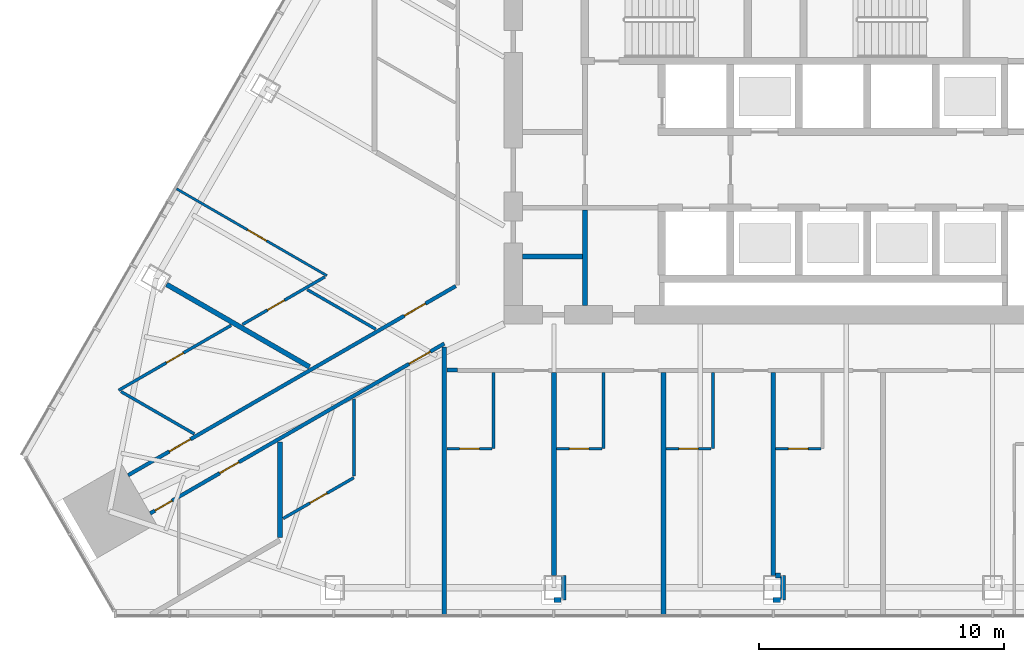
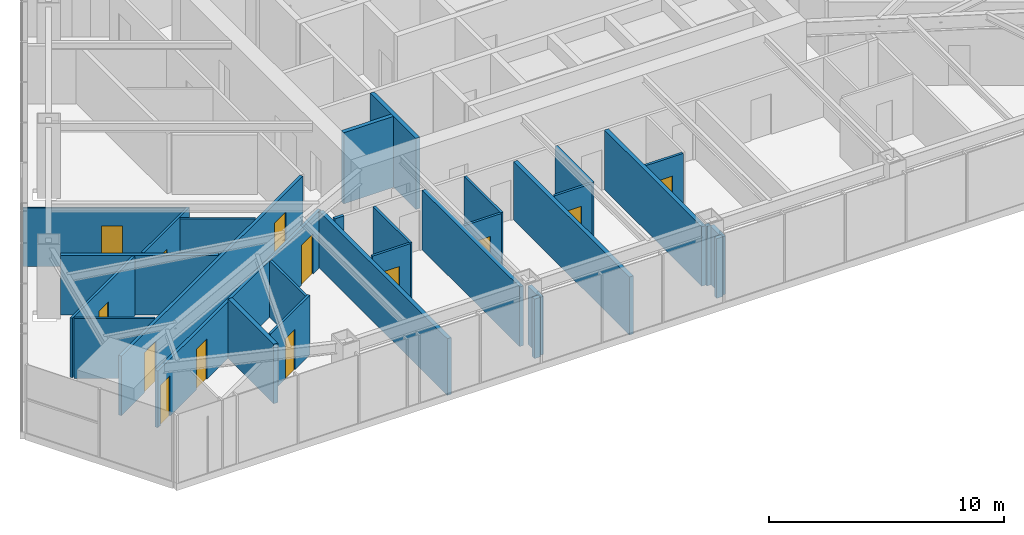
# One storey, part 14 of 21: 30 walls, 13 doors, 13 openings.
"""IFC4 building model written with IfcOpenShell, lengths in metres."""

from ifc_helpers import new_model, si_unit, direction, frame, frame_2d, origin, place, context, subcontext, project, spatial, rectangle, extrude, material, layer, layer_set, type_object, element, fill, save


model = new_model("IFC4")

# Units and contexts
model_context = context("Model", 3, precision=1e-05, world=origin(), true_north=direction((0.0, 1.0)))
body_context = subcontext(model_context, "Body", "Model", "MODEL_VIEW")
ifc_project = project(units=[si_unit("LENGTHUNIT", "METRE"), si_unit("AREAUNIT", "SQUARE_METRE"), si_unit("VOLUMEUNIT", "CUBIC_METRE"), si_unit("PLANEANGLEUNIT", "RADIAN"), si_unit("MASSUNIT", "GRAM", prefix="KILO")], contexts=[model_context])

# Site, building, storey
site_placement = place(None, origin())
site = spatial("IfcSite", under=ifc_project, at=site_placement, CompositionType="ELEMENT")
building_placement = place(site_placement, origin())
building = spatial("IfcBuilding", under=site, at=building_placement, Name="Firuza Gate Tower and Library", CompositionType="ELEMENT")
storey_placement = place(building_placement, frame((0.0, 0.0, 167.5)))
storey = spatial("IfcBuildingStorey", under=building, at=storey_placement, Name="L38", CompositionType="ELEMENT", Elevation=167.5)

# Walls
ifc_material_1 = material(Name="Plasterboard on steel studs", Category="steel")
ifc_layer_1 = layer(ifc_material_1, 0.199951171875)
ifc_layer_set_1 = layer_set([ifc_layer_1], Name="Core partition 200 EI 120")
wall_type_1 = type_object("IfcWallType", Name="Core partition 200 EI 120", PredefinedType="PARTITIONING", material=ifc_layer_set_1)
wall_1_placement = place(storey_placement, frame((67.300048828125, 67.75, 0.0), z_axis=(0.0, 0.0, 1.0), x_axis=(0.0, 1.0, 0.0)))
element("IfcWall", 1, at=wall_1_placement, inside=storey, type_object=wall_type_1, Name="Core partition L38 7", PredefinedType="PARTITIONING", context=body_context, shape_type="SweptSolid", body=[
    extrude(rectangle(XDim=3.89990234375, YDim=0.199951171875, at=frame_2d((1.949951171875, 0.0))), origin(), (0.0, 0.0, 1.0), 3.699951171875),
])
ifc_material_2 = material(Name="Plasterboard on steel studs", Category="steel")
ifc_layer_2 = layer(ifc_material_2, 0.199951171875)
ifc_layer_set_2 = layer_set([ifc_layer_2], Name="Core partition 200 EI 60")
wall_type_2 = type_object("IfcWallType", Name="Core partition 200 EI 60", PredefinedType="PARTITIONING", material=ifc_layer_set_2)
wall_2_placement = place(storey_placement, frame((64.75, 69.75, 0.0), z_axis=(0.0, 0.0, 1.0), x_axis=(1.0, 0.0, 0.0)))
element("IfcWall", 2, at=wall_2_placement, inside=storey, type_object=wall_type_2, Name="Core partition L38 1", PredefinedType="PARTITIONING", context=body_context, shape_type="SweptSolid", body=[
    extrude(rectangle(XDim=2.449951171875, YDim=0.199951171875, at=frame_2d((1.22509765625, 0.0))), origin(), (0.0, 0.0, 1.0), 3.699951171875),
])
ifc_material_3 = material(Name="Gypsum board partition")
ifc_layer_3 = layer(ifc_material_3, 0.14990234375)
ifc_layer_set_3 = layer_set([ifc_layer_3], Name="Corridor wall 150 double board on steel studs")
wall_type_3 = type_object("IfcWallType", Name="Corridor wall 150 double board on steel studs", PredefinedType="PARTITIONING", material=ifc_layer_set_3)
wall_3_placement = place(storey_placement, frame((61.6572265625, 65.118896484375, 0.0), z_axis=(0.0, 0.0, 1.0), x_axis=(1.0, 0.0, 0.0)))
element("IfcWall", 3, at=wall_3_placement, inside=storey, type_object=wall_type_3, Name="f:L38:w009", PredefinedType="PARTITIONING", context=body_context, shape_type="SweptSolid", body=[
    extrude(rectangle(XDim=0.44287109375, YDim=0.14990234375, at=frame_2d((0.221435546875, 0.0))), origin(), (0.0, 0.0, 1.0), 3.10009765625),
])

# Wall, openings, doors
wall_4_placement = place(storey_placement, frame((61.55712890625, 66.19970703125, 0.0), z_axis=(0.0, 0.0, 1.0), x_axis=(-0.866027723534, -0.499995982055, 0.0)))
wall_4 = element("IfcWall", 4, at=wall_4_placement, inside=storey, type_object=wall_type_3, Name="f:L38:w033", PredefinedType="PARTITIONING", context=body_context, shape_type="SweptSolid", body=[
    extrude(rectangle(XDim=13.88134765625, YDim=0.14990234375, at=frame_2d((6.940673828125, 0.0))), origin(), (0.0, 0.0, 1.0), 2.947021484375),
])
opening_1_placement = place(wall_4_placement, frame((0.660888671875, 0.0, 0.0)))
opening_1 = element("IfcOpeningElement", 5, at=opening_1_placement, cuts=wall_4, Name="Opening L38-20", PredefinedType="OPENING", context=body_context, shape_type="SweptSolid", body=[
    extrude(rectangle(XDim=1.0, YDim=2.10009765625, at=frame_2d((0.5, 1.050048828125))), frame((0.0, 0.0849609375, 0.0), z_axis=(0.0, -1.0, 0.0), x_axis=(1.0, 0.0, 0.0)), (0.0, 0.0, 1.0), 0.169921875),
])
opening_2_placement = place(wall_4_placement, frame((9.6962890625, 0.0, 0.0)))
opening_2 = element("IfcOpeningElement", 6, at=opening_2_placement, cuts=wall_4, Name="Opening L38-21", PredefinedType="OPENING", context=body_context, shape_type="SweptSolid", body=[
    extrude(rectangle(XDim=0.89990234375, YDim=2.10009765625, at=frame_2d((0.449951171875, 1.050048828125))), frame((0.0, 0.0849609375, 0.0), z_axis=(0.0, -1.0, 0.0), x_axis=(1.0, 0.0, 0.0)), (0.0, 0.0, 1.0), 0.169921875),
])
opening_3_placement = place(wall_4_placement, frame((12.854736328125, 0.0, 0.0)))
opening_3 = element("IfcOpeningElement", 7, at=opening_3_placement, cuts=wall_4, Name="Opening L38-22", PredefinedType="OPENING", context=body_context, shape_type="SweptSolid", body=[
    extrude(rectangle(XDim=0.800048828125, YDim=2.10009765625, at=frame_2d((0.39990234375, 1.050048828125))), frame((0.0, 0.0849609375, 0.0), z_axis=(0.0, -1.0, 0.0), x_axis=(1.0, 0.0, 0.0)), (0.0, 0.0, 1.0), 0.169921875),
])
ifc_material_4 = material(Name="Timber door", Category="wood")
door_type_1 = type_object("IfcDoorType", Name="Door 800 x 2100 timber leaf", OperationType="NOTDEFINED", PredefinedType="DOOR", material=ifc_material_4)
door_1_placement = place(opening_3_placement, origin())
door_1 = element("IfcDoor", 8, at=door_1_placement, inside=storey, type_object=door_type_1, Name="f:L38:d022", OperationType="SINGLE_SWING_RIGHT", OverallHeight=2.10009765625, OverallWidth=0.800048828125, PredefinedType="DOOR", context=body_context, shape_type="SweptSolid", body=[
    extrude(rectangle(XDim=0.800048828125, YDim=2.10009765625, at=frame_2d((0.39990234375, 1.050048828125))), frame((0.0, 0.02490234375, 0.0), z_axis=(0.0, -1.0, 0.0), x_axis=(1.0, 0.0, 0.0)), (0.0, 0.0, 1.0), 0.050048828125),
])
fill(opening_3, door_1)
ifc_material_5 = material(Name="Steel door and timber leaf", Category="steel")
door_type_2 = type_object("IfcDoorType", Name="Fire door 1000 x 2100 steel frame, timber leaf", OperationType="NOTDEFINED", PredefinedType="DOOR", material=ifc_material_5)
door_2_placement = place(opening_1_placement, origin())
door_2 = element("IfcDoor", 9, at=door_2_placement, inside=storey, type_object=door_type_2, Name="f:L38:d020", OperationType="SINGLE_SWING_RIGHT", OverallHeight=2.10009765625, OverallWidth=1.0, PredefinedType="DOOR", context=body_context, shape_type="SweptSolid", body=[
    extrude(rectangle(XDim=1.0, YDim=2.10009765625, at=frame_2d((0.5, 1.050048828125))), frame((0.0, 0.02490234375, 0.0), z_axis=(0.0, -1.0, 0.0), x_axis=(1.0, 0.0, 0.0)), (0.0, 0.0, 1.0), 0.050048828125),
])
fill(opening_1, door_2)
ifc_material_6 = material(Name="Steel door and timber leaf", Category="steel")
door_type_3 = type_object("IfcDoorType", Name="Fire door 900 x 2100 steel frame, timber leaf", OperationType="NOTDEFINED", PredefinedType="DOOR", material=ifc_material_6)
door_3_placement = place(opening_2_placement, origin())
door_3 = element("IfcDoor", 10, at=door_3_placement, inside=storey, type_object=door_type_3, Name="f:L38:d021", OperationType="SINGLE_SWING_LEFT", OverallHeight=2.10009765625, OverallWidth=0.89990234375, PredefinedType="DOOR", context=body_context, shape_type="SweptSolid", body=[
    extrude(rectangle(XDim=0.89990234375, YDim=2.10009765625, at=frame_2d((0.449951171875, 1.050048828125))), frame((0.0, 0.02490234375, 0.0), z_axis=(0.0, -1.0, 0.0), x_axis=(1.0, 0.0, 0.0)), (0.0, 0.0, 1.0), 0.050048828125),
])
fill(opening_2, door_3)

wall_5_placement = place(storey_placement, frame((48.635498046875, 60.81787109375, 0.0), z_axis=(0.0, 0.0, 1.0), x_axis=(0.866029648708, 0.499992647504, 0.0)))
wall_5 = element("IfcWall", 11, at=wall_5_placement, inside=storey, type_object=wall_type_3, Name="f:L38:w035", PredefinedType="PARTITIONING", context=body_context, shape_type="SweptSolid", body=[
    extrude(rectangle(XDim=15.460693359375, YDim=0.14990234375, at=frame_2d((7.73046875, 0.0))), origin(), (0.0, 0.0, 1.0), 3.10009765625),
])
opening_4_placement = place(wall_5_placement, frame((1.945068359375, 0.0, 0.0)))
opening_4 = element("IfcOpeningElement", 12, at=opening_4_placement, cuts=wall_5, Name="Opening L38-24", PredefinedType="OPENING", context=body_context, shape_type="SweptSolid", body=[
    extrude(rectangle(XDim=1.0, YDim=2.10009765625, at=frame_2d((0.5, 1.050048828125))), frame((0.0, 0.0849609375, 0.0), z_axis=(0.0, -1.0, 0.0), x_axis=(1.0, 0.0, 0.0)), (0.0, 0.0, 1.0), 0.169921875),
])
opening_5_placement = place(wall_5_placement, frame((13.034423828125, 0.0, 0.0)))
opening_5 = element("IfcOpeningElement", 13, at=opening_5_placement, cuts=wall_5, Name="Opening L38-25", PredefinedType="OPENING", context=body_context, shape_type="SweptSolid", body=[
    extrude(rectangle(XDim=1.0, YDim=2.10009765625, at=frame_2d((0.5, 1.050048828125))), frame((0.0, 0.0849609375, 0.0), z_axis=(0.0, -1.0, 0.0), x_axis=(1.0, 0.0, 0.0)), (0.0, 0.0, 1.0), 0.169921875),
])
door_4_placement = place(opening_4_placement, origin())
door_4 = element("IfcDoor", 14, at=door_4_placement, inside=storey, type_object=door_type_2, Name="f:L38:d024", OperationType="SINGLE_SWING_LEFT", OverallHeight=2.10009765625, OverallWidth=1.0, PredefinedType="DOOR", context=body_context, shape_type="SweptSolid", body=[
    extrude(rectangle(XDim=1.0, YDim=2.10009765625, at=frame_2d((0.5, 1.050048828125))), frame((0.0, 0.02490234375, 0.0), z_axis=(0.0, -1.0, 0.0), x_axis=(1.0, 0.0, 0.0)), (0.0, 0.0, 1.0), 0.050048828125),
])
fill(opening_4, door_4)
door_5_placement = place(opening_5_placement, origin())
door_5 = element("IfcDoor", 15, at=door_5_placement, inside=storey, type_object=door_type_2, Name="f:L38:d025", OperationType="SINGLE_SWING_RIGHT", OverallHeight=2.10009765625, OverallWidth=1.0, PredefinedType="DOOR", context=body_context, shape_type="SweptSolid", body=[
    extrude(rectangle(XDim=1.0, YDim=2.10009765625, at=frame_2d((0.5, 1.050048828125))), frame((0.0, 0.02490234375, 0.0), z_axis=(0.0, -1.0, 0.0), x_axis=(1.0, 0.0, 0.0)), (0.0, 0.0, 1.0), 0.050048828125),
])
fill(opening_5, door_5)

# Walls
ifc_material_7 = material(Name="Gypsum board partition")
ifc_layer_4 = layer(ifc_material_7, 0.199951171875)
ifc_layer_set_4 = layer_set([ifc_layer_4], Name="Demising wall 200 acoustic double stud")
wall_type_4 = type_object("IfcWallType", Name="Demising wall 200 acoustic double stud", PredefinedType="PARTITIONING", material=ifc_layer_set_4)
wall_6_placement = place(storey_placement, frame((66.0380859375, 55.720947265625, 0.0), z_axis=(0.0, 0.0, 1.0), x_axis=(1.0, 0.0, 0.0)))
element("IfcWall", 16, at=wall_6_placement, inside=storey, type_object=wall_type_4, Name="f:L38:w000", PredefinedType="PARTITIONING", context=body_context, shape_type="SweptSolid", body=[
    extrude(rectangle(XDim=0.2900390625, YDim=0.199951171875, at=frame_2d((0.14501953125, 0.0))), origin(), (0.0, 0.0, 1.0), 3.10009765625),
])
wall_7_placement = place(storey_placement, frame((75.0, 55.720947265625, 0.0), z_axis=(0.0, 0.0, 1.0), x_axis=(1.0, 0.0, 0.0)))
element("IfcWall", 17, at=wall_7_placement, inside=storey, type_object=wall_type_4, Name="f:L38:w001", PredefinedType="PARTITIONING", context=body_context, shape_type="SweptSolid", body=[
    extrude(rectangle(XDim=0.300048828125, YDim=0.199951171875, at=frame_2d((0.14990234375, 0.0))), origin(), (0.0, 0.0, 1.0), 3.10009765625),
])
wall_8_placement = place(storey_placement, frame((75.10009765625, 56.720947265625, 0.0), z_axis=(0.0, 0.0, 1.0), x_axis=(1.0, 0.0, 0.0)))
element("IfcWall", 18, at=wall_8_placement, inside=storey, type_object=wall_type_4, Name="f:L38:w002", PredefinedType="PARTITIONING", context=body_context, shape_type="SweptSolid", body=[
    extrude(rectangle(XDim=0.199951171875, YDim=0.199951171875, at=frame_2d((0.10009765625, 0.0))), origin(), (0.0, 0.0, 1.0), 3.10009765625),
])
wall_9_placement = place(storey_placement, frame((75.39990234375, 55.720458984375, 0.0), z_axis=(0.0, 0.0, 1.0), x_axis=(0.0, 1.0, 0.0)))
element("IfcWall", 19, at=wall_9_placement, inside=storey, type_object=wall_type_4, Name="f:L38:w065", PredefinedType="PARTITIONING", context=body_context, shape_type="SweptSolid", body=[
    extrude(rectangle(XDim=1.0, YDim=0.199951171875, at=frame_2d((0.5, 0.0))), origin(), (0.0, 0.0, 1.0), 3.02197265625),
])
wall_10_placement = place(storey_placement, frame((75.0, 56.720458984375, 0.0), z_axis=(0.0, 0.0, 1.0), x_axis=(0.0, 1.0, 0.0)))
element("IfcWall", 20, at=wall_10_placement, inside=storey, type_object=wall_type_4, Name="f:L38:w066", PredefinedType="PARTITIONING", context=body_context, shape_type="SweptSolid", body=[
    extrude(rectangle(XDim=8.304443359375, YDim=0.199951171875, at=frame_2d((4.15234375, 0.0))), origin(), (0.0, 0.0, 1.0), 3.10009765625),
])
wall_11_placement = place(storey_placement, frame((70.51904296875, 55.12060546875, 0.0), z_axis=(0.0, 0.0, 1.0), x_axis=(0.0, 1.0, 0.0)))
element("IfcWall", 21, at=wall_11_placement, inside=storey, type_object=wall_type_4, Name="f:L38:w072", PredefinedType="PARTITIONING", context=body_context, shape_type="SweptSolid", body=[
    extrude(rectangle(XDim=9.904296875, YDim=0.199951171875, at=frame_2d((4.9521484375, 0.0))), origin(), (0.0, 0.0, 1.0), 3.02197265625),
])
wall_12_placement = place(storey_placement, frame((66.43798828125, 55.720458984375, 0.0), z_axis=(0.0, 0.0, 1.0), x_axis=(0.0, 1.0, 0.0)))
element("IfcWall", 22, at=wall_12_placement, inside=storey, type_object=wall_type_4, Name="f:L38:w077", PredefinedType="PARTITIONING", context=body_context, shape_type="SweptSolid", body=[
    extrude(rectangle(XDim=1.0, YDim=0.199951171875, at=frame_2d((0.5, 0.0))), origin(), (0.0, 0.0, 1.0), 3.02197265625),
])
wall_13_placement = place(storey_placement, frame((66.0380859375, 56.720458984375, 0.0), z_axis=(0.0, 0.0, 1.0), x_axis=(0.0, 1.0, 0.0)))
element("IfcWall", 23, at=wall_13_placement, inside=storey, type_object=wall_type_4, Name="f:L38:w078", PredefinedType="PARTITIONING", context=body_context, shape_type="SweptSolid", body=[
    extrude(rectangle(XDim=8.304443359375, YDim=0.199951171875, at=frame_2d((4.15234375, 0.0))), origin(), (0.0, 0.0, 1.0), 3.10009765625),
])
wall_14_placement = place(storey_placement, frame((61.556884765625, 55.12060546875, 0.0), z_axis=(0.0, 0.0, 1.0), x_axis=(0.0, 1.0, 0.0)))
element("IfcWall", 24, at=wall_14_placement, inside=storey, type_object=wall_type_4, Name="f:L38:w081", PredefinedType="PARTITIONING", context=body_context, shape_type="SweptSolid", body=[
    extrude(rectangle(XDim=10.932373046875, YDim=0.199951171875, at=frame_2d((5.46630859375, 0.0))), origin(), (0.0, 0.0, 1.0), 2.947021484375),
])
wall_15_placement = place(storey_placement, frame((54.8359375, 58.277587890625, 0.0), z_axis=(0.0, 0.0, 1.0), x_axis=(0.0, 1.0, 0.0)))
element("IfcWall", 25, at=wall_15_placement, inside=storey, type_object=wall_type_4, Name="f:L38:w084", PredefinedType="PARTITIONING", context=body_context, shape_type="SweptSolid", body=[
    extrude(rectangle(XDim=3.894775390625, YDim=0.199951171875, at=frame_2d((1.947265625, 0.0))), origin(), (0.0, 0.0, 1.0), 3.10009765625),
])
wall_16_placement = place(storey_placement, frame((56.049072265625, 65.24462890625, 0.0), z_axis=(0.0, 0.0, 1.0), x_axis=(-0.866029476959, 0.499992944988, 0.0)))
element("IfcWall", 26, at=wall_16_placement, inside=storey, type_object=wall_type_4, Name="f:L38:w113", PredefinedType="PARTITIONING", context=body_context, shape_type="SweptSolid", body=[
    extrude(rectangle(XDim=6.7451171875, YDim=0.199951171875, at=frame_2d((3.37255859375, 0.0))), origin(), (0.0, 0.0, 1.0), 3.10009765625),
])

# Wall, opening, door
ifc_material_8 = material(Name="Gypsum board partition")
ifc_layer_5 = layer(ifc_material_8, 0.10009765625)
ifc_layer_set_5 = layer_set([ifc_layer_5], Name="Partition 100 gypsum board on steel studs")
wall_type_5 = type_object("IfcWallType", Name="Partition 100 gypsum board on steel studs", PredefinedType="PARTITIONING", material=ifc_layer_set_5)
wall_17_placement = place(storey_placement, frame((56.760986328125, 68.97314453125, 0.0), z_axis=(0.0, 0.0, 1.0), x_axis=(-0.866016025414, 0.500016243463, 0.0)))
wall_17 = element("IfcWall", 27, at=wall_17_placement, inside=storey, type_object=wall_type_5, Name="f:L38:w111", PredefinedType="PARTITIONING", context=body_context, shape_type="SweptSolid", body=[
    extrude(rectangle(XDim=7.097412109375, YDim=0.10009765625, at=frame_2d((3.548828125, 0.0))), origin(), (0.0, 0.0, 1.0), 3.02197265625),
])
opening_6_placement = place(wall_17_placement, frame((2.8486328125, 0.0, 0.0)))
opening_6 = element("IfcOpeningElement", 28, at=opening_6_placement, cuts=wall_17, Name="Opening L38-50", PredefinedType="OPENING", context=body_context, shape_type="SweptSolid", body=[
    extrude(rectangle(XDim=0.89990234375, YDim=2.10009765625, at=frame_2d((0.449951171875, 1.050048828125))), frame((0.0, 0.06005859375, 0.0), z_axis=(0.0, -1.0, 0.0), x_axis=(1.0, 0.0, 0.0)), (0.0, 0.0, 1.0), 0.1201171875),
])
ifc_material_9 = material(Name="Timber door", Category="wood")
door_type_4 = type_object("IfcDoorType", Name="Door 900 x 2100 timber leaf", OperationType="NOTDEFINED", PredefinedType="DOOR", material=ifc_material_9)
door_6_placement = place(opening_6_placement, origin())
door_6 = element("IfcDoor", 29, at=door_6_placement, inside=storey, type_object=door_type_4, Name="f:L38:d050", OperationType="SINGLE_SWING_LEFT", OverallHeight=2.10009765625, OverallWidth=0.89990234375, PredefinedType="DOOR", context=body_context, shape_type="SweptSolid", body=[
    extrude(rectangle(XDim=0.89990234375, YDim=2.10009765625, at=frame_2d((0.449951171875, 1.050048828125))), frame((0.0, 0.02490234375, 0.0), z_axis=(0.0, -1.0, 0.0), x_axis=(1.0, 0.0, 0.0)), (0.0, 0.0, 1.0), 0.050048828125),
])
fill(opening_6, door_6)

ifc_material_10 = material(Name="Gypsum board partition")
ifc_layer_6 = layer(ifc_material_10, 0.1201171875)
ifc_layer_set_6 = layer_set([ifc_layer_6], Name="Wet-area partition 120 moisture-resistant board")
wall_type_6 = type_object("IfcWallType", Name="Wet-area partition 120 moisture-resistant board", PredefinedType="PARTITIONING", material=ifc_layer_set_6)
wall_18_placement = place(storey_placement, frame((61.6572265625, 61.89990234375, 0.0), z_axis=(0.0, 0.0, 1.0), x_axis=(1.0, 0.0, 0.0)))
wall_18 = element("IfcWall", 30, at=wall_18_placement, inside=storey, type_object=wall_type_6, Name="f:L38:w003", PredefinedType="PARTITIONING", context=body_context, shape_type="SweptSolid", body=[
    extrude(rectangle(XDim=1.856201171875, YDim=0.1201171875, at=frame_2d((0.92822265625, 0.0))), origin(), (0.0, 0.0, 1.0), 3.10009765625),
])
opening_7_placement = place(wall_18_placement, frame((0.5283203125, 0.0, 0.0)))
opening_7 = element("IfcOpeningElement", 31, at=opening_7_placement, cuts=wall_18, Name="Opening L38-01", PredefinedType="OPENING", context=body_context, shape_type="SweptSolid", body=[
    extrude(rectangle(XDim=0.800048828125, YDim=2.10009765625, at=frame_2d((0.39990234375, 1.050048828125))), frame((0.0, 0.070068359375, 0.0), z_axis=(0.0, -1.0, 0.0), x_axis=(1.0, 0.0, 0.0)), (0.0, 0.0, 1.0), 0.14013671875),
])
door_7_placement = place(opening_7_placement, origin())
door_7 = element("IfcDoor", 32, at=door_7_placement, inside=storey, type_object=door_type_1, Name="f:L38:d001", OperationType="SINGLE_SWING_RIGHT", OverallHeight=2.10009765625, OverallWidth=0.800048828125, PredefinedType="DOOR", context=body_context, shape_type="SweptSolid", body=[
    extrude(rectangle(XDim=0.800048828125, YDim=2.10009765625, at=frame_2d((0.39990234375, 1.050048828125))), frame((0.0, 0.02490234375, 0.0), z_axis=(0.0, -1.0, 0.0), x_axis=(1.0, 0.0, 0.0)), (0.0, 0.0, 1.0), 0.050048828125),
])
fill(opening_7, door_7)

wall_19_placement = place(storey_placement, frame((66.13818359375, 61.89990234375, 0.0), z_axis=(0.0, 0.0, 1.0), x_axis=(1.0, 0.0, 0.0)))
wall_19 = element("IfcWall", 33, at=wall_19_placement, inside=storey, type_object=wall_type_6, Name="f:L38:w004", PredefinedType="PARTITIONING", context=body_context, shape_type="SweptSolid", body=[
    extrude(rectangle(XDim=1.856201171875, YDim=0.1201171875, at=frame_2d((0.92822265625, 0.0))), origin(), (0.0, 0.0, 1.0), 3.10009765625),
])
opening_8_placement = place(wall_19_placement, frame((0.5283203125, 0.0, 0.0)))
opening_8 = element("IfcOpeningElement", 34, at=opening_8_placement, cuts=wall_19, Name="Opening L38-02", PredefinedType="OPENING", context=body_context, shape_type="SweptSolid", body=[
    extrude(rectangle(XDim=0.800048828125, YDim=2.10009765625, at=frame_2d((0.39990234375, 1.050048828125))), frame((0.0, 0.070068359375, 0.0), z_axis=(0.0, -1.0, 0.0), x_axis=(1.0, 0.0, 0.0)), (0.0, 0.0, 1.0), 0.14013671875),
])
door_8_placement = place(opening_8_placement, origin())
door_8 = element("IfcDoor", 35, at=door_8_placement, inside=storey, type_object=door_type_1, Name="f:L38:d002", OperationType="SINGLE_SWING_RIGHT", OverallHeight=2.10009765625, OverallWidth=0.800048828125, PredefinedType="DOOR", context=body_context, shape_type="SweptSolid", body=[
    extrude(rectangle(XDim=0.800048828125, YDim=2.10009765625, at=frame_2d((0.39990234375, 1.050048828125))), frame((0.0, 0.02490234375, 0.0), z_axis=(0.0, -1.0, 0.0), x_axis=(1.0, 0.0, 0.0)), (0.0, 0.0, 1.0), 0.050048828125),
])
fill(opening_8, door_8)

wall_20_placement = place(storey_placement, frame((70.619140625, 61.89990234375, 0.0), z_axis=(0.0, 0.0, 1.0), x_axis=(1.0, 0.0, 0.0)))
wall_20 = element("IfcWall", 36, at=wall_20_placement, inside=storey, type_object=wall_type_6, Name="f:L38:w005", PredefinedType="PARTITIONING", context=body_context, shape_type="SweptSolid", body=[
    extrude(rectangle(XDim=1.846435546875, YDim=0.1201171875, at=frame_2d((0.92333984375, 0.0))), origin(), (0.0, 0.0, 1.0), 3.10009765625),
])
opening_9_placement = place(wall_20_placement, frame((0.523193359375, 0.0, 0.0)))
opening_9 = element("IfcOpeningElement", 37, at=opening_9_placement, cuts=wall_20, Name="Opening L38-03", PredefinedType="OPENING", context=body_context, shape_type="SweptSolid", body=[
    extrude(rectangle(XDim=0.800048828125, YDim=2.10009765625, at=frame_2d((0.39990234375, 1.050048828125))), frame((0.0, 0.070068359375, 0.0), z_axis=(0.0, -1.0, 0.0), x_axis=(1.0, 0.0, 0.0)), (0.0, 0.0, 1.0), 0.14013671875),
])
door_9_placement = place(opening_9_placement, origin())
door_9 = element("IfcDoor", 38, at=door_9_placement, inside=storey, type_object=door_type_1, Name="f:L38:d003", OperationType="SINGLE_SWING_RIGHT", OverallHeight=2.10009765625, OverallWidth=0.800048828125, PredefinedType="DOOR", context=body_context, shape_type="SweptSolid", body=[
    extrude(rectangle(XDim=0.800048828125, YDim=2.10009765625, at=frame_2d((0.39990234375, 1.050048828125))), frame((0.0, 0.02490234375, 0.0), z_axis=(0.0, -1.0, 0.0), x_axis=(1.0, 0.0, 0.0)), (0.0, 0.0, 1.0), 0.050048828125),
])
fill(opening_9, door_9)

wall_21_placement = place(storey_placement, frame((75.10009765625, 61.89990234375, 0.0), z_axis=(0.0, 0.0, 1.0), x_axis=(1.0, 0.0, 0.0)))
wall_21 = element("IfcWall", 39, at=wall_21_placement, inside=storey, type_object=wall_type_6, Name="f:L38:w006", PredefinedType="PARTITIONING", context=body_context, shape_type="SweptSolid", body=[
    extrude(rectangle(XDim=1.846435546875, YDim=0.1201171875, at=frame_2d((0.92333984375, 0.0))), origin(), (0.0, 0.0, 1.0), 3.10009765625),
])
opening_10_placement = place(wall_21_placement, frame((0.523193359375, 0.0, 0.0)))
opening_10 = element("IfcOpeningElement", 40, at=opening_10_placement, cuts=wall_21, Name="Opening L38-04", PredefinedType="OPENING", context=body_context, shape_type="SweptSolid", body=[
    extrude(rectangle(XDim=0.800048828125, YDim=2.10009765625, at=frame_2d((0.39990234375, 1.050048828125))), frame((0.0, 0.070068359375, 0.0), z_axis=(0.0, -1.0, 0.0), x_axis=(1.0, 0.0, 0.0)), (0.0, 0.0, 1.0), 0.14013671875),
])
door_10_placement = place(opening_10_placement, origin())
door_10 = element("IfcDoor", 41, at=door_10_placement, inside=storey, type_object=door_type_1, Name="f:L38:d004", OperationType="SINGLE_SWING_RIGHT", OverallHeight=2.10009765625, OverallWidth=0.800048828125, PredefinedType="DOOR", context=body_context, shape_type="SweptSolid", body=[
    extrude(rectangle(XDim=0.800048828125, YDim=2.10009765625, at=frame_2d((0.39990234375, 1.050048828125))), frame((0.0, 0.02490234375, 0.0), z_axis=(0.0, -1.0, 0.0), x_axis=(1.0, 0.0, 0.0)), (0.0, 0.0, 1.0), 0.050048828125),
])
fill(opening_10, door_10)

wall_22_placement = place(storey_placement, frame((54.97021484375, 59.048095703125, 0.0), z_axis=(0.0, 0.0, 1.0), x_axis=(0.866046706318, 0.499963101113, 0.0)))
wall_22 = element("IfcWall", 42, at=wall_22_placement, inside=storey, type_object=wall_type_6, Name="f:L38:w031", PredefinedType="PARTITIONING", context=body_context, shape_type="SweptSolid", body=[
    extrude(rectangle(XDim=3.337158203125, YDim=0.1201171875, at=frame_2d((1.66845703125, 0.0))), origin(), (0.0, 0.0, 1.0), 3.10009765625),
])
opening_11_placement = place(wall_22_placement, frame((1.2685546875, 0.0, 0.0)))
opening_11 = element("IfcOpeningElement", 43, at=opening_11_placement, cuts=wall_22, Name="Opening L38-19", PredefinedType="OPENING", context=body_context, shape_type="SweptSolid", body=[
    extrude(rectangle(XDim=0.800048828125, YDim=2.10009765625, at=frame_2d((0.39990234375, 1.050048828125))), frame((0.0, 0.070068359375, 0.0), z_axis=(0.0, -1.0, 0.0), x_axis=(1.0, 0.0, 0.0)), (0.0, 0.0, 1.0), 0.14013671875),
])
door_11_placement = place(opening_11_placement, origin())
door_11 = element("IfcDoor", 44, at=door_11_placement, inside=storey, type_object=door_type_1, Name="f:L38:d019", OperationType="SINGLE_SWING_RIGHT", OverallHeight=2.10009765625, OverallWidth=0.800048828125, PredefinedType="DOOR", context=body_context, shape_type="SweptSolid", body=[
    extrude(rectangle(XDim=0.800048828125, YDim=2.10009765625, at=frame_2d((0.39990234375, 1.050048828125))), frame((0.0, 0.02490234375, 0.0), z_axis=(0.0, -1.0, 0.0), x_axis=(1.0, 0.0, 0.0)), (0.0, 0.0, 1.0), 0.050048828125),
])
fill(opening_11, door_11)

wall_23_placement = place(storey_placement, frame((56.67626953125, 68.92431640625, 0.0), z_axis=(0.0, 0.0, 1.0), x_axis=(-0.866019241107, -0.500010673919, 0.0)))
wall_23 = element("IfcWall", 45, at=wall_23_placement, inside=storey, type_object=wall_type_6, Name="f:L38:w036", PredefinedType="PARTITIONING", context=body_context, shape_type="SweptSolid", body=[
    extrude(rectangle(XDim=3.88623046875, YDim=0.1201171875, at=frame_2d((1.943115234375, 0.0))), origin(), (0.0, 0.0, 1.0), 3.10009765625),
])
opening_12_placement = place(wall_23_placement, frame((1.91162109375, 0.0, 0.0)))
opening_12 = element("IfcOpeningElement", 46, at=opening_12_placement, cuts=wall_23, Name="Opening L38-26", PredefinedType="OPENING", context=body_context, shape_type="SweptSolid", body=[
    extrude(rectangle(XDim=0.800048828125, YDim=2.10009765625, at=frame_2d((0.39990234375, 1.050048828125))), frame((0.0, 0.070068359375, 0.0), z_axis=(0.0, -1.0, 0.0), x_axis=(1.0, 0.0, 0.0)), (0.0, 0.0, 1.0), 0.14013671875),
])
door_12_placement = place(opening_12_placement, origin())
door_12 = element("IfcDoor", 47, at=door_12_placement, inside=storey, type_object=door_type_1, Name="f:L38:d026", OperationType="SINGLE_SWING_LEFT", OverallHeight=2.10009765625, OverallWidth=0.800048828125, PredefinedType="DOOR", context=body_context, shape_type="SweptSolid", body=[
    extrude(rectangle(XDim=0.800048828125, YDim=2.10009765625, at=frame_2d((0.39990234375, 1.050048828125))), frame((0.0, 0.02490234375, 0.0), z_axis=(0.0, -1.0, 0.0), x_axis=(1.0, 0.0, 0.0)), (0.0, 0.0, 1.0), 0.050048828125),
])
fill(opening_12, door_12)

wall_24_placement = place(storey_placement, frame((52.841552734375, 66.941162109375, 0.0), z_axis=(0.0, 0.0, 1.0), x_axis=(-0.866018407898, -0.500012117035, 0.0)))
wall_24 = element("IfcWall", 48, at=wall_24_placement, inside=storey, type_object=wall_type_6, Name="f:L38:w037", PredefinedType="PARTITIONING", context=body_context, shape_type="SweptSolid", body=[
    extrude(rectangle(XDim=5.301513671875, YDim=0.1201171875, at=frame_2d((2.65087890625, 0.0))), origin(), (0.0, 0.0, 1.0), 3.10009765625),
])
opening_13_placement = place(wall_24_placement, frame((2.250732421875, 0.0, 0.0)))
opening_13 = element("IfcOpeningElement", 49, at=opening_13_placement, cuts=wall_24, Name="Opening L38-27", PredefinedType="OPENING", context=body_context, shape_type="SweptSolid", body=[
    extrude(rectangle(XDim=0.800048828125, YDim=2.10009765625, at=frame_2d((0.39990234375, 1.050048828125))), frame((0.0, 0.070068359375, 0.0), z_axis=(0.0, -1.0, 0.0), x_axis=(1.0, 0.0, 0.0)), (0.0, 0.0, 1.0), 0.14013671875),
])
door_13_placement = place(opening_13_placement, origin())
door_13 = element("IfcDoor", 50, at=door_13_placement, inside=storey, type_object=door_type_1, Name="f:L38:d027", OperationType="SINGLE_SWING_LEFT", OverallHeight=2.10009765625, OverallWidth=0.800048828125, PredefinedType="DOOR", context=body_context, shape_type="SweptSolid", body=[
    extrude(rectangle(XDim=0.800048828125, YDim=2.10009765625, at=frame_2d((0.39990234375, 1.050048828125))), frame((0.0, 0.02490234375, 0.0), z_axis=(0.0, -1.0, 0.0), x_axis=(1.0, 0.0, 0.0)), (0.0, 0.0, 1.0), 0.050048828125),
])
fill(opening_13, door_13)

# Walls
for number, where, z_axis, x_axis, name in (
    (51, (72.534912109375, 61.89990234375, 0.0), (0.0, 0.0, 1.0), (0.0, 1.0, 0.0), "f:L38:w069"),
    (52, (68.054931640625, 61.89990234375, 0.0), (0.0, 0.0, 1.0), (0.0, 1.0, 0.0), "f:L38:w074"),
    (53, (63.573974609375, 61.89990234375, 0.0), (0.0, 0.0, 1.0), (0.0, 1.0, 0.0), "f:L38:w079"),
):
    element("IfcWall", number, at=place(storey_placement, frame(where, z_axis=z_axis, x_axis=x_axis)), inside=storey, type_object=wall_type_6, Name=name, PredefinedType="PARTITIONING", context=body_context, shape_type="SweptSolid", body=[
        extrude(rectangle(XDim=3.125, YDim=0.1201171875, at=frame_2d((1.5625, 0.0))), origin(), (0.0, 0.0, 1.0), 3.10009765625),
    ])
wall_25_placement = place(storey_placement, frame((57.860107421875, 60.785888671875, 0.0), z_axis=(0.0, 0.0, 1.0), x_axis=(0.0, 1.0, 0.0)))
element("IfcWall", 54, at=wall_25_placement, inside=storey, type_object=wall_type_6, Name="f:L38:w083", PredefinedType="PARTITIONING", context=body_context, shape_type="SweptSolid", body=[
    extrude(rectangle(XDim=3.152587890625, YDim=0.1201171875, at=frame_2d((1.576171875, 0.0))), origin(), (0.0, 0.0, 1.0), 2.947021484375),
])
wall_26_placement = place(storey_placement, frame((58.75537109375, 66.787109375, 0.0), z_axis=(0.0, 0.0, 1.0), x_axis=(-0.866019355129, 0.500010476433, 0.0)))
element("IfcWall", 55, at=wall_26_placement, inside=storey, type_object=wall_type_6, Name="f:L38:w112", PredefinedType="PARTITIONING", context=body_context, shape_type="SweptSolid", body=[
    extrude(rectangle(XDim=3.228515625, YDim=0.1201171875, at=frame_2d((1.6142578125, 0.0))), origin(), (0.0, 0.0, 1.0), 3.10009765625),
])
wall_27_placement = place(storey_placement, frame((51.340576171875, 62.505859375, 0.0), z_axis=(0.0, 0.0, 1.0), x_axis=(-0.866015170855, 0.500017723536, 0.0)))
element("IfcWall", 56, at=wall_27_placement, inside=storey, type_object=wall_type_6, Name="f:L38:w114", PredefinedType="PARTITIONING", context=body_context, shape_type="SweptSolid", body=[
    extrude(rectangle(XDim=3.459228515625, YDim=0.1201171875, at=frame_2d((1.7294921875, 0.0))), origin(), (0.0, 0.0, 1.0), 3.10009765625),
])

save(model, "model.ifc")
